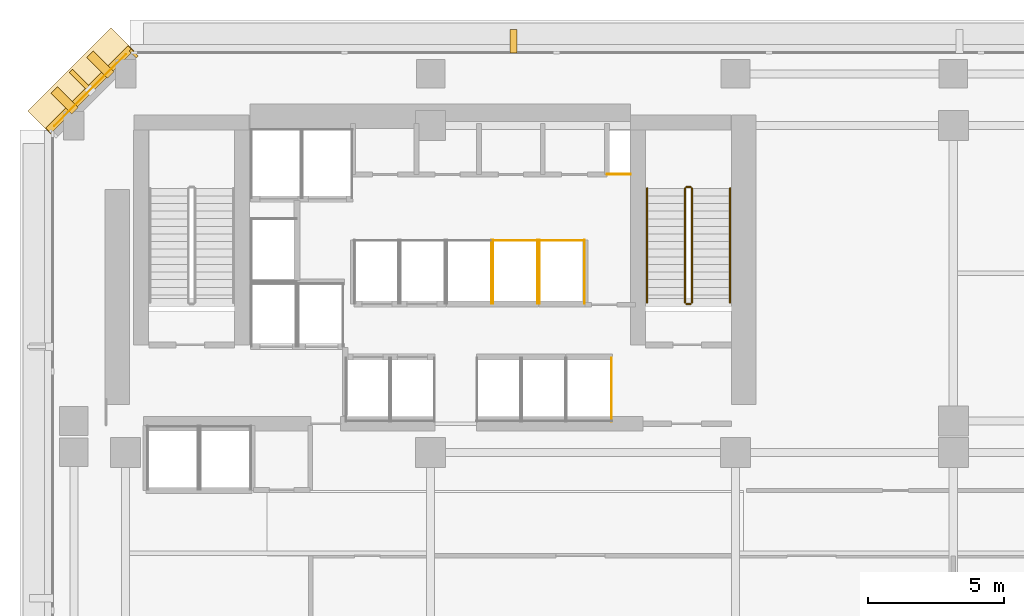
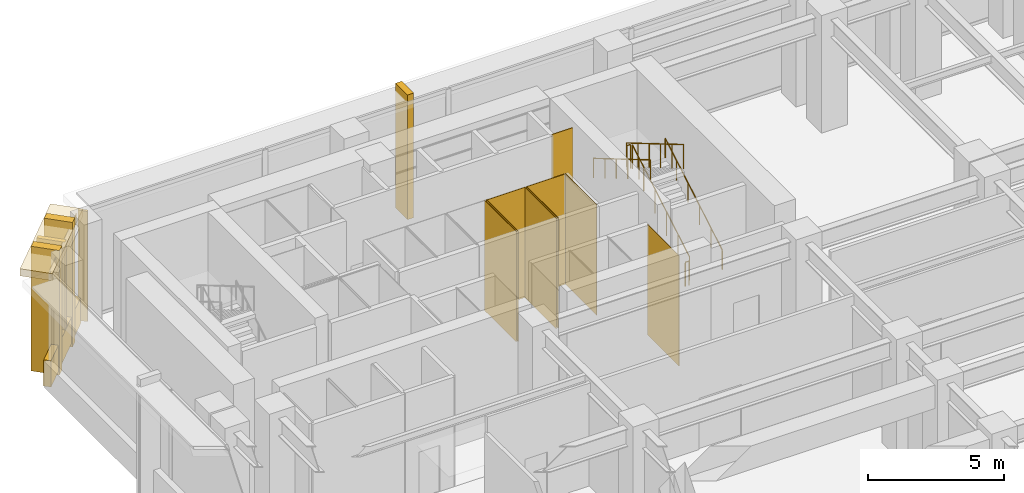
# One storey, part 18 of 20: 16 coverings, 6 railings, 1 shading device.
"""IFC4 building model written with IfcOpenShell, lengths in metres."""

from ifc_helpers import new_model, si_unit, direction, frame, origin, origin_2d, place, context, subcontext, project, spatial, polyline, rectangle, circle, outline, extrude, material, layer, layer_set, material_profile, profile_set, type_object, element, save


model = new_model("IFC4")

# Units and contexts
model_context = context("Model", 3, precision=1e-05, world=origin(), true_north=direction((0.0, 1.0)))
body_context = subcontext(model_context, "Body", "Model", "MODEL_VIEW")
ifc_project = project(units=[si_unit("LENGTHUNIT", "METRE"), si_unit("AREAUNIT", "SQUARE_METRE"), si_unit("VOLUMEUNIT", "CUBIC_METRE"), si_unit("PLANEANGLEUNIT", "RADIAN"), si_unit("MASSUNIT", "GRAM", prefix="KILO")], contexts=[model_context])

# Site, building, storey
site_placement = place(None, origin())
site = spatial("IfcSite", under=ifc_project, at=site_placement, CompositionType="ELEMENT")
building_placement = place(site_placement, origin())
building = spatial("IfcBuilding", under=site, at=building_placement, Name="Kefirva Bronze Tower", CompositionType="ELEMENT")
storey_placement = place(building_placement, frame((0.0, 0.0, 5.93994140625)))
storey = spatial("IfcBuildingStorey", under=building, at=storey_placement, Name="L01", CompositionType="ELEMENT", Elevation=5.93994140625)

# Coverings
ifc_material_1 = material(Name="Bronze anodised aluminium", Category="aluminium")
ifc_layer_1 = layer(ifc_material_1, 0.02001953125, Name="Bronze anodised aluminium")
ifc_layer_set_1 = layer_set([ifc_layer_1], Name="Bronze anodised aluminium")
covering_type_1 = type_object("IfcCoveringType", Name="Anodised Bronze Spandrel Cladding 20mm", PredefinedType="CLADDING", material=ifc_layer_set_1)
covering_1_placement = place(storey_placement, frame((-0.507080078125, 46.507080078125, 4.5400390625), z_axis=(0.0, 0.0, 1.0), x_axis=(-0.707106781187, -0.707106781187, 0.0)))
element("IfcCovering", 1, at=covering_1_placement, inside=storey, type_object=covering_type_1, Name="L01 Bronze Spandrel Cladding 6", PredefinedType="CLADDING", context=body_context, shape_type="SweptSolid", body=[
    extrude(rectangle(XDim=3.719482421875, YDim=0.02001953125, at=origin_2d()), origin(), (0.0, 0.0, 1.0), 0.39990234375),
])
covering_2_placement = place(storey_placement, frame((1.1025390625, 47.847900390625, 0.0), z_axis=(0.0, 0.0, 1.0), x_axis=(-0.707106781187, -0.707106781187, 0.0)))
element("IfcCovering", 2, at=covering_2_placement, inside=storey, type_object=covering_type_1, Name="L01 Facade Joint Closure Panel 6S", PredefinedType="CLADDING", context=body_context, shape_type="SweptSolid", body=[
    extrude(rectangle(XDim=0.10009765625, YDim=0.360107421875, at=origin_2d()), origin(), (0.0, 0.0, 1.0), 4.9599609375),
])
covering_3_placement = place(storey_placement, frame((-0.5283203125, 46.5283203125, -0.15966796875), z_axis=(0.0, 0.0, 1.0), x_axis=(-0.707106781187, -0.707106781187, 0.0)))
element("IfcCovering", 3, at=covering_3_placement, inside=storey, type_object=covering_type_1, Name="L01 Streamline Horizontal Spandrel Band 9", PredefinedType="CLADDING", context=body_context, shape_type="SweptSolid", body=[
    extrude(rectangle(XDim=4.28271484375, YDim=0.280029296875, at=origin_2d()), origin(), (0.0, 0.0, 1.0), 1.179931640625),
])
covering_4_placement = place(storey_placement, origin())
element("IfcCovering", 4, at=covering_4_placement, inside=storey, type_object=covering_type_1, Name="L01 Lift MP3 Hoistway Liner E", PredefinedType="CLADDING", context=body_context, shape_type="SweptSolid", body=[
    extrude(outline(polyline([(14.219970703125, 38.659912109375), (14.239990234375, 38.659912109375), (14.239990234375, 41.0), (14.219970703125, 41.0), (14.219970703125, 38.659912109375)])), origin(), (0.0, 0.0, 1.0), 4.9599609375),
])
covering_5_placement = place(storey_placement, origin())
element("IfcCovering", 5, at=covering_5_placement, inside=storey, type_object=covering_type_1, Name="L01 Lift MP4 Hoistway Liner N", PredefinedType="CLADDING", context=body_context, shape_type="SweptSolid", body=[
    extrude(outline(polyline([(14.280029296875, 40.969970703125), (15.949951171875, 40.969970703125), (15.949951171875, 40.989990234375), (14.280029296875, 40.989990234375), (14.280029296875, 40.969970703125)])), origin(), (0.0, 0.0, 1.0), 4.9599609375),
])
covering_6_placement = place(storey_placement, origin())
element("IfcCovering", 6, at=covering_6_placement, inside=storey, type_object=covering_type_1, Name="L01 Lift MP4 Hoistway Liner W", PredefinedType="CLADDING", context=body_context, shape_type="SweptSolid", body=[
    extrude(outline(polyline([(14.2900390625, 38.659912109375), (14.31005859375, 38.659912109375), (14.31005859375, 41.0), (14.2900390625, 41.0), (14.2900390625, 38.659912109375)])), origin(), (0.0, 0.0, 1.0), 4.9599609375),
])
covering_7_placement = place(storey_placement, origin())
element("IfcCovering", 7, at=covering_7_placement, inside=storey, type_object=covering_type_1, Name="L01 Lift MP4 Hoistway Liner E", PredefinedType="CLADDING", context=body_context, shape_type="SweptSolid", body=[
    extrude(outline(polyline([(15.919921875, 38.659912109375), (15.93994140625, 38.659912109375), (15.93994140625, 41.0), (15.919921875, 41.0), (15.919921875, 38.659912109375)])), origin(), (0.0, 0.0, 1.0), 4.9599609375),
])
covering_8_placement = place(storey_placement, origin())
element("IfcCovering", 8, at=covering_8_placement, inside=storey, type_object=covering_type_1, Name="L01 Lift HP1 Hoistway Liner E", PredefinedType="CLADDING", context=body_context, shape_type="SweptSolid", body=[
    extrude(outline(polyline([(18.639892578125, 34.330078125), (18.659912109375, 34.330078125), (18.659912109375, 36.669921875), (18.639892578125, 36.669921875), (18.639892578125, 34.330078125)])), origin(), (0.0, 0.0, 1.0), 4.9599609375),
])
covering_9_placement = place(storey_placement, origin())
element("IfcCovering", 9, at=covering_9_placement, inside=storey, type_object=covering_type_1, Name="L01 Lift HP2 Hoistway Liner N", PredefinedType="CLADDING", context=body_context, shape_type="SweptSolid", body=[
    extrude(outline(polyline([(15.97998046875, 40.969970703125), (17.669921875, 40.969970703125), (17.669921875, 40.989990234375), (15.97998046875, 40.989990234375), (15.97998046875, 40.969970703125)])), origin(), (0.0, 0.0, 1.0), 4.9599609375),
])
covering_10_placement = place(storey_placement, origin())
element("IfcCovering", 10, at=covering_10_placement, inside=storey, type_object=covering_type_1, Name="L01 Lift HP2 Hoistway Liner W", PredefinedType="CLADDING", context=body_context, shape_type="SweptSolid", body=[
    extrude(outline(polyline([(15.989990234375, 38.659912109375), (16.010009765625, 38.659912109375), (16.010009765625, 41.0), (15.989990234375, 41.0), (15.989990234375, 38.659912109375)])), origin(), (0.0, 0.0, 1.0), 4.9599609375),
])
covering_11_placement = place(storey_placement, origin())
element("IfcCovering", 11, at=covering_11_placement, inside=storey, type_object=covering_type_1, Name="L01 Lift HP2 Hoistway Liner E", PredefinedType="CLADDING", context=body_context, shape_type="SweptSolid", body=[
    extrude(outline(polyline([(17.639892578125, 38.659912109375), (17.659912109375, 38.659912109375), (17.659912109375, 41.0), (17.639892578125, 41.0), (17.639892578125, 38.659912109375)])), origin(), (0.0, 0.0, 1.0), 4.9599609375),
])
covering_12_placement = place(storey_placement, origin())
element("IfcCovering", 12, at=covering_12_placement, inside=storey, type_object=covering_type_1, Name="L01 Core MEP Riser Shaft Liner South", PredefinedType="CLADDING", context=body_context, shape_type="SweptSolid", body=[
    extrude(outline(polyline([(18.47998046875, 43.39990234375), (19.360107421875, 43.39990234375), (19.360107421875, 43.429931640625), (18.47998046875, 43.429931640625), (18.47998046875, 43.39990234375)])), origin(), (0.0, 0.0, 1.0), 4.9599609375),
])

# Shading device
ifc_material_profile = material_profile(ifc_material_1, rectangle(XDim=0.179931640625, YDim=1.080078125, at=origin_2d()), Name="BRONZE BUTTRESS FIN 180x1080")
ifc_profile_set = profile_set([ifc_material_profile], Name="Bronze anodised aluminium")
shading_device_type = type_object("IfcShadingDeviceType", Name="Chamfered Corner Buttress Bronze Fin 1080mm", PredefinedType="USERDEFINED", material=ifc_profile_set)
shading_device_placement = place(storey_placement, frame((-0.8251953125, 46.8251953125, -0.139892578125), z_axis=(0.0, 0.0, 1.0), x_axis=(-0.707106781187, -0.707106781187, 0.0)))
element("IfcShadingDevice", 13, at=shading_device_placement, inside=storey, type_object=shading_device_type, Name="L01 Chamfered Corner Buttress Fin 28", ObjectType="VERTICAL FIN", PredefinedType="USERDEFINED", context=body_context, shape_type="SweptSolid", body=[
    extrude(rectangle(XDim=0.179931640625, YDim=1.080078125, at=origin_2d()), origin(), (0.0, 0.0, 1.0), 5.099853515625),
])

# Railings
ifc_material_2 = material(Name="Stainless steel 316", Category="steel")
railing_type_1 = type_object("IfcRailingType", Name="Interior Stair Guardrail 1100mm", PredefinedType="GUARDRAIL", material=ifc_material_2)
railing_1_placement = place(storey_placement, frame((21.60009765625, 38.699951171875, 0.1650390625)))
element("IfcRailing", 14, at=railing_1_placement, inside=storey, type_object=railing_type_1, Name="L01 ST-2 stair guard 1", PredefinedType="GUARDRAIL", context=body_context, shape_type="SweptSolid", body=[
    extrude(circle(Radius=0.02392578125, at=origin_2d()), frame((0.0, 0.0, 1.076171875), z_axis=(0.0, 0.861527117747, 0.50771155727), x_axis=(-1.0, 0.0, 0.0)), (0.0, 0.0, 1.0), 4.875),
    extrude(circle(Radius=0.02099609375, at=origin_2d()), origin(), (0.0, 0.0, 1.0), 1.052001953125),
    extrude(circle(Radius=0.02099609375, at=origin_2d()), frame((0.0, 0.840087890625, 0.4951171875)), (0.0, 0.0, 1.0), 1.052001953125),
    extrude(circle(Radius=0.02099609375, at=origin_2d()), frame((0.0, 1.679931640625, 0.989990234375)), (0.0, 0.0, 1.0), 1.052001953125),
    extrude(circle(Radius=0.02099609375, at=origin_2d()), frame((0.0, 2.52001953125, 1.485107421875)), (0.0, 0.0, 1.0), 1.052001953125),
    extrude(circle(Radius=0.02099609375, at=origin_2d()), frame((0.0, 3.35986328125, 1.97998046875)), (0.0, 0.0, 1.0), 1.052001953125),
    extrude(circle(Radius=0.02099609375, at=origin_2d()), frame((0.0, 4.199951171875, 2.47509765625)), (0.0, 0.0, 1.0), 1.052001953125),
])
railing_2_placement = place(storey_placement, frame((21.550048828125, 42.949951171875, 2.64013671875)))
element("IfcRailing", 15, at=railing_2_placement, inside=storey, type_object=railing_type_1, Name="L01 ST-2 stair guard 2", PredefinedType="GUARDRAIL", context=body_context, shape_type="SweptSolid", body=[
    extrude(circle(Radius=0.02392578125, at=origin_2d()), frame((0.0, 0.0, 1.076171875), z_axis=(-1.0, 0.0, 0.0), x_axis=(0.0, -1.0, 0.0)), (0.0, 0.0, 1.0), 0.150146484375),
    extrude(circle(Radius=0.02099609375, at=origin_2d()), origin(), (0.0, 0.0, 1.0), 1.052001953125),
    extrude(circle(Radius=0.02099609375, at=origin_2d()), frame((-0.150146484375, 0.0, 0.0)), (0.0, 0.0, 1.0), 1.052001953125),
])
railing_3_placement = place(storey_placement, frame((21.35009765625, 42.89990234375, 2.80517578125)))
element("IfcRailing", 16, at=railing_3_placement, inside=storey, type_object=railing_type_1, Name="L01 ST-2 stair guard 3", PredefinedType="GUARDRAIL", context=body_context, shape_type="SweptSolid", body=[
    extrude(circle(Radius=0.02392578125, at=origin_2d()), frame((0.0, 0.0, 1.076171875), z_axis=(0.0, -0.861549022881, 0.507674384988), x_axis=(1.0, 0.0, 0.0)), (0.0, 0.0, 1.0), 4.875),
    extrude(circle(Radius=0.02099609375, at=origin_2d()), origin(), (0.0, 0.0, 1.0), 1.052001953125),
    extrude(circle(Radius=0.02099609375, at=origin_2d()), frame((0.0, -0.840087890625, 0.494873046875)), (0.0, 0.0, 1.0), 1.052001953125),
    extrude(circle(Radius=0.02099609375, at=origin_2d()), frame((0.0, -1.679931640625, 0.989990234375)), (0.0, 0.0, 1.0), 1.052001953125),
    extrude(circle(Radius=0.02099609375, at=origin_2d()), frame((0.0, -2.52001953125, 1.48486328125)), (0.0, 0.0, 1.0), 1.052001953125),
    extrude(circle(Radius=0.02099609375, at=origin_2d()), frame((0.0, -3.35986328125, 1.97998046875)), (0.0, 0.0, 1.0), 1.052001953125),
    extrude(circle(Radius=0.02099609375, at=origin_2d()), frame((0.0, -4.199951171875, 2.474853515625)), (0.0, 0.0, 1.0), 1.052001953125),
])
railing_4_placement = place(storey_placement, frame((21.550048828125, 38.64990234375, 0.0)))
element("IfcRailing", 17, at=railing_4_placement, inside=storey, type_object=railing_type_1, Name="L01 ST-2 stair guard 4", PredefinedType="GUARDRAIL", context=body_context, shape_type="SweptSolid", body=[
    extrude(circle(Radius=0.02392578125, at=origin_2d()), frame((0.0, 0.0, 1.076171875), z_axis=(-1.0, 0.0, 0.0), x_axis=(0.0, -1.0, 0.0)), (0.0, 0.0, 1.0), 0.150146484375),
    extrude(circle(Radius=0.02099609375, at=origin_2d()), origin(), (0.0, 0.0, 1.0), 1.052001953125),
    extrude(circle(Radius=0.02099609375, at=origin_2d()), frame((-0.150146484375, 0.0, 0.0)), (0.0, 0.0, 1.0), 1.052001953125),
])
railing_type_2 = type_object("IfcRailingType", Name="Stair Pitch Handrail 900mm", PredefinedType="HANDRAIL", material=ifc_material_2)
railing_5_placement = place(storey_placement, frame((23.0, 38.699951171875, 0.1650390625)))
element("IfcRailing", 18, at=railing_5_placement, inside=storey, type_object=railing_type_2, Name="L01 ST-2 stair handrail 1", PredefinedType="HANDRAIL", context=body_context, shape_type="SweptSolid", body=[
    extrude(circle(Radius=0.02392578125, at=origin_2d()), frame((0.0, 0.0, 0.8759765625), z_axis=(0.0, 0.861527117747, 0.50771155727), x_axis=(-1.0, 0.0, 0.0)), (0.0, 0.0, 1.0), 4.875),
    extrude(circle(Radius=0.02099609375, at=origin_2d()), origin(), (0.0, 0.0, 1.0), 0.851806640625),
    extrude(circle(Radius=0.02099609375, at=origin_2d()), frame((0.0, 0.840087890625, 0.4951171875)), (0.0, 0.0, 1.0), 0.851806640625),
    extrude(circle(Radius=0.02099609375, at=origin_2d()), frame((0.0, 1.679931640625, 0.989990234375)), (0.0, 0.0, 1.0), 0.851806640625),
    extrude(circle(Radius=0.02099609375, at=origin_2d()), frame((0.0, 2.52001953125, 1.485107421875)), (0.0, 0.0, 1.0), 0.851806640625),
    extrude(circle(Radius=0.02099609375, at=origin_2d()), frame((0.0, 3.35986328125, 1.97998046875)), (0.0, 0.0, 1.0), 0.851806640625),
    extrude(circle(Radius=0.02099609375, at=origin_2d()), frame((0.0, 4.199951171875, 2.47509765625)), (0.0, 0.0, 1.0), 0.851806640625),
])
railing_6_placement = place(storey_placement, frame((19.949951171875, 42.89990234375, 2.80517578125)))
element("IfcRailing", 19, at=railing_6_placement, inside=storey, type_object=railing_type_2, Name="L01 ST-2 stair handrail 2", PredefinedType="HANDRAIL", context=body_context, shape_type="SweptSolid", body=[
    extrude(circle(Radius=0.02392578125, at=origin_2d()), frame((0.0, 0.0, 0.8759765625), z_axis=(0.0, -0.861549022881, 0.507674384988), x_axis=(1.0, 0.0, 0.0)), (0.0, 0.0, 1.0), 4.875),
    extrude(circle(Radius=0.02099609375, at=origin_2d()), origin(), (0.0, 0.0, 1.0), 0.851806640625),
    extrude(circle(Radius=0.02099609375, at=origin_2d()), frame((0.0, -0.840087890625, 0.494873046875)), (0.0, 0.0, 1.0), 0.851806640625),
    extrude(circle(Radius=0.02099609375, at=origin_2d()), frame((0.0, -1.679931640625, 0.989990234375)), (0.0, 0.0, 1.0), 0.851806640625),
    extrude(circle(Radius=0.02099609375, at=origin_2d()), frame((0.0, -2.52001953125, 1.48486328125)), (0.0, 0.0, 1.0), 0.851806640625),
    extrude(circle(Radius=0.02099609375, at=origin_2d()), frame((0.0, -3.35986328125, 1.97998046875)), (0.0, 0.0, 1.0), 0.851806640625),
    extrude(circle(Radius=0.02099609375, at=origin_2d()), frame((0.0, -4.199951171875, 2.474853515625)), (0.0, 0.0, 1.0), 0.851806640625),
])

# Coverings
ifc_layer_2 = layer(ifc_material_1, 0.179931640625, Name="Bronze anodised aluminium")
ifc_layer_set_2 = layer_set([ifc_layer_2], Name="Bronze anodised aluminium")
covering_type_2 = type_object("IfcCoveringType", Name="Streamline Bronze Sunshade Eyebrow Cladding 180mm", PredefinedType="CLADDING", material=ifc_layer_set_2)
covering_13_placement = place(storey_placement, frame((-0.8251953125, 46.8251953125, 4.64013671875), z_axis=(0.0, 0.0, 1.0), x_axis=(-0.707106781187, -0.707106781187, 0.0)))
element("IfcCovering", 20, at=covering_13_placement, inside=storey, type_object=covering_type_2, Name="L01 Streamline Bronze Sunshade Eyebrow 9", PredefinedType="CLADDING", context=body_context, shape_type="SweptSolid", body=[
    extrude(rectangle(XDim=4.322509765625, YDim=1.239990234375, at=origin_2d()), origin(), (0.0, 0.0, 1.0), 0.320068359375),
])
ifc_layer_3 = layer(ifc_material_1, 0.260009765625, Name="Bronze anodised aluminium")
ifc_layer_set_3 = layer_set([ifc_layer_3], Name="Bronze anodised aluminium")
covering_type_3 = type_object("IfcCoveringType", Name="Unbroken Bronze Buttress Fin Cladding 260mm", PredefinedType="CLADDING", material=ifc_layer_set_3)
covering_14_placement = place(storey_placement, frame((15.0400390625, 48.300048828125, -0.320068359375), z_axis=(0.0, 0.0, 1.0), x_axis=(-1.0, 0.0, 0.0)))
element("IfcCovering", 21, at=covering_14_placement, inside=storey, type_object=covering_type_3, Name="L01 Unbroken Vertical Bronze Rib Fin 26", PredefinedType="CLADDING", context=body_context, shape_type="SweptSolid", body=[
    extrude(rectangle(XDim=0.260009765625, YDim=0.8798828125, at=origin_2d()), origin(), (0.0, 0.0, 1.0), 5.60009765625),
])
for number, where, z_axis, x_axis, name in (
    (22, (-0.122802734375, 47.44287109375, -0.320068359375), (0.0, 0.0, 1.0), (-0.707106781187, -0.707106781187, 0.0), "L01 Chamfered Corner Buttress Fin Cladding 27"),
    (23, (-1.44287109375, 46.122802734375, -0.320068359375), (0.0, 0.0, 1.0), (-0.707106781187, -0.707106781187, 0.0), "L01 Chamfered Corner Buttress Fin Cladding 28"),
):
    element("IfcCovering", number, at=place(storey_placement, frame(where, z_axis=z_axis, x_axis=x_axis)), inside=storey, type_object=covering_type_3, Name=name, PredefinedType="CLADDING", context=body_context, shape_type="SweptSolid", body=[
        extrude(rectangle(XDim=0.340087890625, YDim=1.080078125, at=origin_2d()), origin(), (0.0, 0.0, 1.0), 5.60009765625),
    ])

save(model, "model.ifc")
